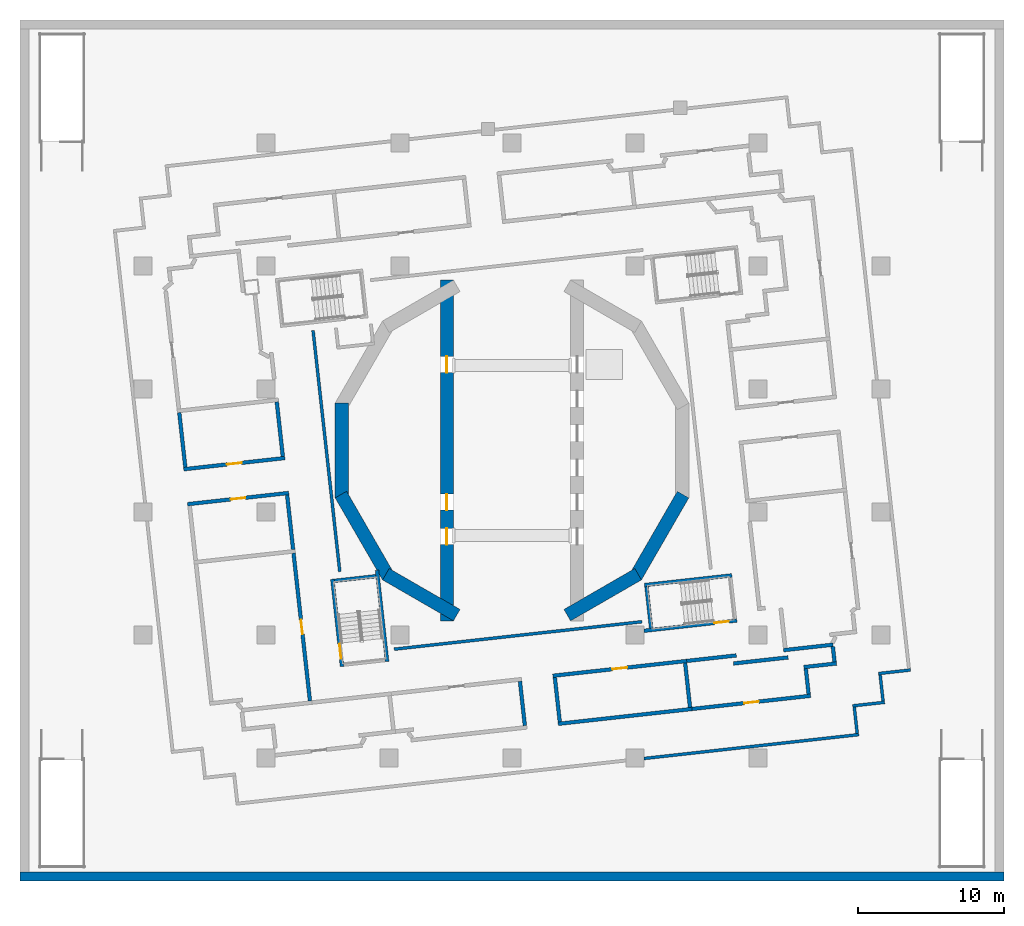
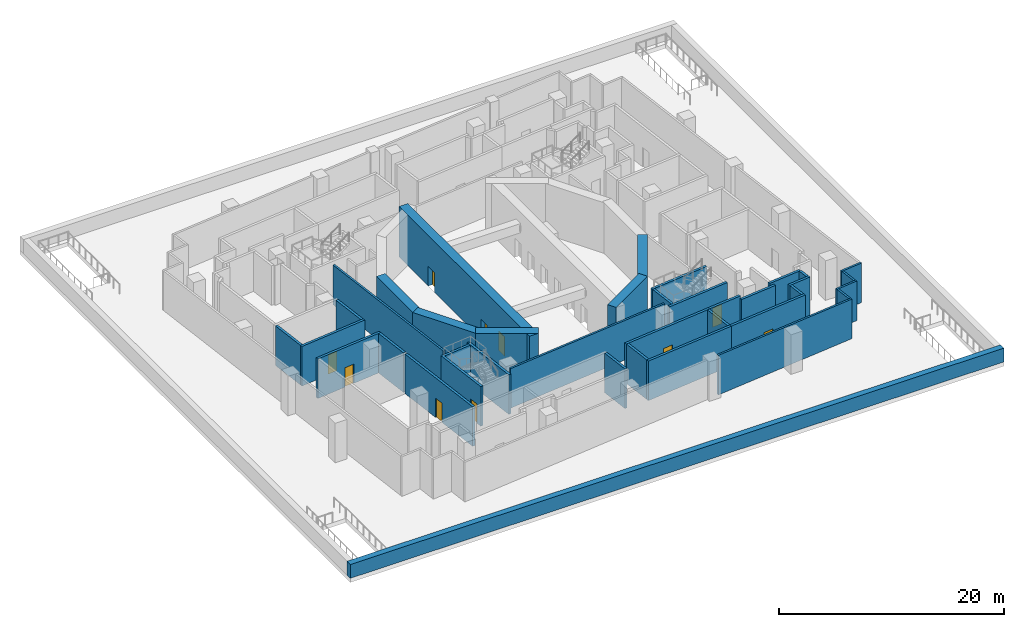
# One storey, part 2 of 12: 38 walls, 10 doors, 10 openings.
"""IFC4 building model written with IfcOpenShell, lengths in metres."""

from ifc_helpers import new_model, si_unit, direction, frame, frame_2d, origin, place, context, subcontext, project, spatial, rectangle, extrude, material, layer, layer_set, type_object, element, fill, save


model = new_model("IFC4")

# Units and contexts
model_context = context("Model", 3, precision=1e-05, world=origin(), true_north=direction((0.0, 1.0)))
body_context = subcontext(model_context, "Body", "Model", "MODEL_VIEW")
ifc_project = project(units=[si_unit("LENGTHUNIT", "METRE"), si_unit("AREAUNIT", "SQUARE_METRE"), si_unit("VOLUMEUNIT", "CUBIC_METRE"), si_unit("PLANEANGLEUNIT", "RADIAN"), si_unit("MASSUNIT", "GRAM", prefix="KILO")], contexts=[model_context])

# Site, building, storey
site_placement = place(None, origin())
site = spatial("IfcSite", under=ifc_project, at=site_placement, CompositionType="ELEMENT")
building_placement = place(site_placement, origin())
building = spatial("IfcBuilding", under=site, at=building_placement, Name="Cantera Rosa Tower", CompositionType="ELEMENT")
storey_placement = place(building_placement, frame((0.0, 0.0, 37.0)))
storey = spatial("IfcBuildingStorey", under=building, at=storey_placement, Name="L06", CompositionType="ELEMENT", Elevation=37.0)

# Walls
ifc_material_1 = material(Name="Masonry blockwork", Category="masonry")
ifc_layer_1 = layer(ifc_material_1, 0.199951171875)
ifc_layer_set_1 = layer_set([ifc_layer_1], Name="Blockwork partition 200")
wall_type_1 = type_object("IfcWallType", Name="Blockwork partition 200", PredefinedType="PARTITIONING", material=ifc_layer_set_1)
wall_1_placement = place(storey_placement, frame((-8.043212890625, -13.570068359375, 0.0), z_axis=(0.0, 0.0, 1.0), x_axis=(0.993897022694, 0.110311868264, 0.0)))
element("IfcWall", 1, at=wall_1_placement, inside=storey, type_object=wall_type_1, Name="Partition L06-1", PredefinedType="PARTITIONING", context=body_context, shape_type="SweptSolid", body=[
    extrude(rectangle(XDim=17.019287109375, YDim=0.199951171875, at=frame_2d((8.509765625, 0.0))), origin(), (0.0, 0.0, 1.0), 4.300048828125),
])
wall_2_placement = place(storey_placement, frame((-11.75830078125, -8.279541015625, 0.0), z_axis=(0.0, 0.0, 1.0), x_axis=(-0.110321610045, 0.993895941413, 0.0)))
element("IfcWall", 2, at=wall_2_placement, inside=storey, type_object=wall_type_1, Name="Partition L06-3", PredefinedType="PARTITIONING", context=body_context, shape_type="SweptSolid", body=[
    extrude(rectangle(XDim=16.577392578125, YDim=0.199951171875, at=frame_2d((8.28857421875, 0.0))), origin(), (0.0, 0.0, 1.0), 4.300048828125),
])
for number, where, z_axis, x_axis, name in (
    (3, (23.57470703125, -19.3173828125, 0.0), (0.0, 0.0, 1.0), (-0.110267775292, 0.993901915549, 0.0), "Partition L06-114"),
    (4, (25.342041015625, -17.10888671875, 0.0), (0.0, 0.0, 1.0), (-0.110401753874, 0.993887042245, 0.0), "Partition L06-118"),
):
    element("IfcWall", number, at=place(storey_placement, frame(where, z_axis=z_axis, x_axis=x_axis)), inside=storey, type_object=wall_type_1, Name=name, PredefinedType="PARTITIONING", context=body_context, shape_type="SweptSolid", body=[
        extrude(rectangle(XDim=1.800048828125, YDim=0.199951171875, at=frame_2d((0.89990234375, 0.0))), origin(), (0.0, 0.0, 1.0), 4.300048828125),
    ])
for number, where, z_axis, x_axis, name in (
    (5, (25.032958984375, -15.2314453125, 0.0), (0.0, 0.0, 1.0), (0.993897260817, 0.110309722784, 0.0), "Partition L06-125"),
    (6, (23.265869140625, -17.43994140625, 0.0), (0.0, 0.0, 1.0), (0.993897260817, 0.110309722784, 0.0), "Partition L06-127"),
):
    element("IfcWall", number, at=place(storey_placement, frame(where, z_axis=z_axis, x_axis=x_axis)), inside=storey, type_object=wall_type_1, Name=name, PredefinedType="PARTITIONING", context=body_context, shape_type="SweptSolid", body=[
        extrude(rectangle(XDim=2.199951171875, YDim=0.199951171875, at=frame_2d((1.10009765625, 0.0))), origin(), (0.0, 0.0, 1.0), 4.300048828125),
    ])
wall_3_placement = place(storey_placement, frame((9.007568359375, -21.03466796875, 0.0), z_axis=(0.0, 0.0, 1.0), x_axis=(0.993898241908, 0.110300882735, 0.0)))
element("IfcWall", 7, at=wall_3_placement, inside=storey, type_object=wall_type_1, Name="Partition L06-129", PredefinedType="PARTITIONING", context=body_context, shape_type="SweptSolid", body=[
    extrude(rectangle(XDim=14.767822265625, YDim=0.199951171875, at=frame_2d((7.3837890625, 0.0))), origin(), (0.0, 0.0, 1.0), 4.300048828125),
])
ifc_material_2 = material(Name="Masonry blockwork", Category="masonry")
ifc_layer_2 = layer(ifc_material_2, 0.25)
ifc_layer_set_2 = layer_set([ifc_layer_2], Name="Fire-rated wall 250")
wall_type_2 = type_object("IfcWallType", Name="Fire-rated wall 250", PredefinedType="PARTITIONING", material=ifc_layer_set_2)
for number, where, z_axis, x_axis, name in (
    (8, (0.87841796875, -18.792724609375, 0.0), (0.0, 0.0, 1.0), (-0.110308521992, 0.993897394089, 0.0), "Fire wall L06-31"),
    (9, (12.1591796875, -17.540771484375, 0.0), (0.0, 0.0, 1.0), (-0.110308521992, 0.993897394089, 0.0), "Fire wall L06-36"),
):
    element("IfcWall", number, at=place(storey_placement, frame(where, z_axis=z_axis, x_axis=x_axis)), inside=storey, type_object=wall_type_2, Name=name, PredefinedType="PARTITIONING", context=body_context, shape_type="SweptSolid", body=[
        extrude(rectangle(XDim=3.0498046875, YDim=0.25, at=frame_2d((1.52490234375, 0.0))), origin(), (0.0, 0.0, 1.0), 4.300048828125),
    ])
wall_4_placement = place(storey_placement, frame((3.263916015625, -18.528076171875, 0.0), z_axis=(0.0, 0.0, 1.0), x_axis=(-0.110378814906, 0.993889590055, 0.0)))
element("IfcWall", 10, at=wall_4_placement, inside=storey, type_object=wall_type_2, Name="Fire wall L06-38", PredefinedType="PARTITIONING", context=body_context, shape_type="SweptSolid", body=[
    extrude(rectangle(XDim=3.050048828125, YDim=0.25, at=frame_2d((1.52490234375, 0.0))), origin(), (0.0, 0.0, 1.0), 4.300048828125),
])
wall_5_placement = place(storey_placement, frame((20.259521484375, -16.6416015625, 0.0), z_axis=(0.0, 0.0, 1.0), x_axis=(-0.11035496361, 0.993892238629, 0.0)))
element("IfcWall", 11, at=wall_5_placement, inside=storey, type_object=wall_type_2, Name="Fire wall L06-41", PredefinedType="PARTITIONING", context=body_context, shape_type="SweptSolid", body=[
    extrude(rectangle(XDim=1.75, YDim=0.25, at=frame_2d((0.875, 0.0))), origin(), (0.0, 0.0, 1.0), 4.300048828125),
])
wall_6_placement = place(storey_placement, frame((22.026611328125, -14.433349609375, 0.0), z_axis=(0.0, 0.0, 1.0), x_axis=(-0.110201865026, 0.993909225707, 0.0)))
element("IfcWall", 12, at=wall_6_placement, inside=storey, type_object=wall_type_2, Name="Fire wall L06-43", PredefinedType="PARTITIONING", context=body_context, shape_type="SweptSolid", body=[
    extrude(rectangle(XDim=1.050048828125, YDim=0.25, at=frame_2d((0.52490234375, 0.0))), origin(), (0.0, 0.0, 1.0), 4.300048828125),
])

# Wall, opening, door
wall_7_placement = place(storey_placement, frame((2.789306640625, -15.38623046875, 0.0), z_axis=(0.0, 0.0, 1.0), x_axis=(0.993896672807, 0.110315020662, 0.0)))
wall_7 = element("IfcWall", 13, at=wall_7_placement, inside=storey, type_object=wall_type_2, Name="Fire wall L06-50", PredefinedType="PARTITIONING", context=body_context, shape_type="SweptSolid", body=[
    extrude(rectangle(XDim=9.199951171875, YDim=0.25, at=frame_2d((4.60009765625, 0.0))), origin(), (0.0, 0.0, 1.0), 4.300048828125),
])
opening_1_placement = place(wall_7_placement, frame((4.10009765625, 0.0, 0.0)))
opening_1 = element("IfcOpeningElement", 14, at=opening_1_placement, cuts=wall_7, Name="Opening L06-011", PredefinedType="OPENING", context=body_context, shape_type="SweptSolid", body=[
    extrude(rectangle(XDim=1.0, YDim=2.10009765625, at=frame_2d((0.5, 1.050048828125))), frame((0.0, 0.135009765625, 0.0), z_axis=(0.0, -1.0, 0.0), x_axis=(1.0, 0.0, 0.0)), (0.0, 0.0, 1.0), 0.27001953125),
])
ifc_material_3 = material(Name="Steel S355J2 (EN 10025-2)", Category="steel")
door_type_1 = type_object("IfcDoorType", Name="Fire door 1000x2100", OperationType="NOTDEFINED", PredefinedType="DOOR", material=ifc_material_3)
door_1_placement = place(opening_1_placement, origin())
door_1 = element("IfcDoor", 15, at=door_1_placement, inside=storey, type_object=door_type_1, Name="Door L06-011", OverallHeight=2.10009765625, OverallWidth=1.0, PredefinedType="DOOR", context=body_context, shape_type="SweptSolid", body=[
    extrude(rectangle(XDim=1.0, YDim=2.10009765625, at=frame_2d((0.5, 1.050048828125))), frame((0.0, 0.02490234375, 0.0), z_axis=(0.0, -1.0, 0.0), x_axis=(1.0, 0.0, 0.0)), (0.0, 0.0, 1.0), 0.050048828125),
])
fill(opening_1, door_1)

# Walls
wall_8_placement = place(storey_placement, frame((11.93310546875, -14.371337890625, 0.0), z_axis=(0.0, 0.0, 1.0), x_axis=(0.993894215195, 0.110337160568, 0.0)))
element("IfcWall", 16, at=wall_8_placement, inside=storey, type_object=wall_type_2, Name="Fire wall L06-51", PredefinedType="PARTITIONING", context=body_context, shape_type="SweptSolid", body=[
    extrude(rectangle(XDim=3.407470703125, YDim=0.25, at=frame_2d((1.70361328125, 0.0))), origin(), (0.0, 0.0, 1.0), 4.300048828125),
])
wall_9_placement = place(storey_placement, frame((18.550048828125, -13.636962890625, 0.0), z_axis=(0.0, 0.0, 1.0), x_axis=(0.993896015074, 0.110320946427, 0.0)))
element("IfcWall", 17, at=wall_9_placement, inside=storey, type_object=wall_type_2, Name="Fire wall L06-52", PredefinedType="PARTITIONING", context=body_context, shape_type="SweptSolid", body=[
    extrude(rectangle(XDim=3.392578125, YDim=0.25, at=frame_2d((1.6962890625, 0.0))), origin(), (0.0, 0.0, 1.0), 4.300048828125),
])

# Wall, opening, door
wall_10_placement = place(storey_placement, frame((-22.15576171875, -3.66650390625, 0.0), z_axis=(0.0, 0.0, 1.0), x_axis=(0.993897863711, 0.110304290533, 0.0)))
wall_10 = element("IfcWall", 18, at=wall_10_placement, inside=storey, type_object=wall_type_2, Name="Fire wall L06-69", PredefinedType="PARTITIONING", context=body_context, shape_type="SweptSolid", body=[
    extrude(rectangle(XDim=6.949951171875, YDim=0.25, at=frame_2d((3.47509765625, 0.0))), origin(), (0.0, 0.0, 1.0), 4.300048828125),
])
opening_2_placement = place(wall_10_placement, frame((2.97509765625, 0.0, 0.0)))
opening_2 = element("IfcOpeningElement", 19, at=opening_2_placement, cuts=wall_10, Name="Opening L06-014", PredefinedType="OPENING", context=body_context, shape_type="SweptSolid", body=[
    extrude(rectangle(XDim=1.0, YDim=2.10009765625, at=frame_2d((0.5, 1.050048828125))), frame((0.0, 0.135009765625, 0.0), z_axis=(0.0, -1.0, 0.0), x_axis=(1.0, 0.0, 0.0)), (0.0, 0.0, 1.0), 0.27001953125),
])
door_2_placement = place(opening_2_placement, origin())
door_2 = element("IfcDoor", 20, at=door_2_placement, inside=storey, type_object=door_type_1, Name="Door L06-014", OverallHeight=2.10009765625, OverallWidth=1.0, PredefinedType="DOOR", context=body_context, shape_type="SweptSolid", body=[
    extrude(rectangle(XDim=1.0, YDim=2.10009765625, at=frame_2d((0.5, 1.050048828125))), frame((0.0, 0.02490234375, 0.0), z_axis=(0.0, -1.0, 0.0), x_axis=(1.0, 0.0, 0.0)), (0.0, 0.0, 1.0), 0.050048828125),
])
fill(opening_2, door_2)

wall_11_placement = place(storey_placement, frame((-22.42041015625, -1.281005859375, 0.0), z_axis=(0.0, 0.0, 1.0), x_axis=(0.993897863711, 0.110304290533, 0.0)))
wall_11 = element("IfcWall", 21, at=wall_11_placement, inside=storey, type_object=wall_type_2, Name="Fire wall L06-73", PredefinedType="PARTITIONING", context=body_context, shape_type="SweptSolid", body=[
    extrude(rectangle(XDim=6.949951171875, YDim=0.25, at=frame_2d((3.47509765625, 0.0))), origin(), (0.0, 0.0, 1.0), 4.300048828125),
])
opening_3_placement = place(wall_11_placement, frame((2.97509765625, 0.0, 0.0)))
opening_3 = element("IfcOpeningElement", 22, at=opening_3_placement, cuts=wall_11, Name="Opening L06-015", PredefinedType="OPENING", context=body_context, shape_type="SweptSolid", body=[
    extrude(rectangle(XDim=1.0, YDim=2.10009765625, at=frame_2d((0.5, 1.050048828125))), frame((0.0, 0.135009765625, 0.0), z_axis=(0.0, -1.0, 0.0), x_axis=(1.0, 0.0, 0.0)), (0.0, 0.0, 1.0), 0.27001953125),
])
door_3_placement = place(opening_3_placement, origin())
door_3 = element("IfcDoor", 23, at=door_3_placement, inside=storey, type_object=door_type_1, Name="Door L06-015", OverallHeight=2.10009765625, OverallWidth=1.0, PredefinedType="DOOR", context=body_context, shape_type="SweptSolid", body=[
    extrude(rectangle(XDim=1.0, YDim=2.10009765625, at=frame_2d((0.5, 1.050048828125))), frame((0.0, 0.02490234375, 0.0), z_axis=(0.0, -1.0, 0.0), x_axis=(1.0, 0.0, 0.0)), (0.0, 0.0, 1.0), 0.050048828125),
])
fill(opening_3, door_3)

# Walls
wall_12_placement = place(storey_placement, frame((19.928466796875, -14.7919921875, 0.0), z_axis=(0.0, 0.0, 1.0), x_axis=(0.993891672249, 0.110360064491, 0.0)))
element("IfcWall", 24, at=wall_12_placement, inside=storey, type_object=wall_type_2, Name="Fire wall L06-88", PredefinedType="PARTITIONING", context=body_context, shape_type="SweptSolid", body=[
    extrude(rectangle(XDim=2.249755859375, YDim=0.25, at=frame_2d((1.125, 0.0))), origin(), (0.0, 0.0, 1.0), 4.300048828125),
])
wall_13_placement = place(storey_placement, frame((3.1533203125, -18.666015625, 0.0), z_axis=(0.0, 0.0, 1.0), x_axis=(0.993896672807, 0.110315020662, 0.0)))
element("IfcWall", 25, at=wall_13_placement, inside=storey, type_object=wall_type_2, Name="Fire wall L06-94", PredefinedType="PARTITIONING", context=body_context, shape_type="SweptSolid", body=[
    extrude(rectangle(XDim=9.199951171875, YDim=0.25, at=frame_2d((4.60009765625, 0.0))), origin(), (0.0, 0.0, 1.0), 4.300048828125),
])

# Wall, opening, door
wall_14_placement = place(storey_placement, frame((12.297119140625, -17.651123046875, 0.0), z_axis=(0.0, 0.0, 1.0), x_axis=(0.99389870336, 0.110296724608, 0.0)))
wall_14 = element("IfcWall", 26, at=wall_14_placement, inside=storey, type_object=wall_type_2, Name="Fire wall L06-95", PredefinedType="PARTITIONING", context=body_context, shape_type="SweptSolid", body=[
    extrude(rectangle(XDim=8.150146484375, YDim=0.25, at=frame_2d((4.0751953125, 0.0))), origin(), (0.0, 0.0, 1.0), 4.300048828125),
])
opening_4_placement = place(wall_14_placement, frame((3.574951171875, 0.0, 0.0)))
opening_4 = element("IfcOpeningElement", 27, at=opening_4_placement, cuts=wall_14, Name="Opening L06-012", PredefinedType="OPENING", context=body_context, shape_type="SweptSolid", body=[
    extrude(rectangle(XDim=1.0, YDim=2.10009765625, at=frame_2d((0.5, 1.050048828125))), frame((0.0, 0.135009765625, 0.0), z_axis=(0.0, -1.0, 0.0), x_axis=(1.0, 0.0, 0.0)), (0.0, 0.0, 1.0), 0.27001953125),
])
door_4_placement = place(opening_4_placement, origin())
door_4 = element("IfcDoor", 28, at=door_4_placement, inside=storey, type_object=door_type_1, Name="Door L06-012", OverallHeight=2.10009765625, OverallWidth=1.0, PredefinedType="DOOR", context=body_context, shape_type="SweptSolid", body=[
    extrude(rectangle(XDim=1.0, YDim=2.10009765625, at=frame_2d((0.5, 1.050048828125))), frame((0.0, 0.02490234375, 0.0), z_axis=(0.0, -1.0, 0.0), x_axis=(1.0, 0.0, 0.0)), (0.0, 0.0, 1.0), 0.050048828125),
])
fill(opening_4, door_4)

# Walls
wall_15_placement = place(storey_placement, frame((15.12939453125, -14.546142578125, 0.0), z_axis=(0.0, 0.0, 1.0), x_axis=(0.993900395612, 0.110281474433, 0.0)))
element("IfcWall", 29, at=wall_15_placement, inside=storey, type_object=wall_type_2, Name="Fire wall L06-97", PredefinedType="PARTITIONING", context=body_context, shape_type="SweptSolid", body=[
    extrude(rectangle(XDim=3.750244140625, YDim=0.25, at=frame_2d((1.875, 0.0))), origin(), (0.0, 0.0, 1.0), 4.300048828125),
])
wall_16_placement = place(storey_placement, frame((-22.31005859375, -1.14306640625, 0.0), z_axis=(0.0, 0.0, 1.0), x_axis=(-0.110288610559, 0.993899603773, 0.0)))
element("IfcWall", 30, at=wall_16_placement, inside=storey, type_object=wall_type_2, Name="Fire wall L06-100", PredefinedType="PARTITIONING", context=body_context, shape_type="SweptSolid", body=[
    extrude(rectangle(XDim=3.75, YDim=0.25, at=frame_2d((1.875, 0.0))), origin(), (0.0, 0.0, 1.0), 4.300048828125),
])

# Wall, opening, door
wall_17_placement = place(storey_placement, frame((-13.797607421875, -17.101318359375, 0.0), z_axis=(0.0, 0.0, 1.0), x_axis=(-0.110333844475, 0.993894583325, 0.0)))
wall_17 = element("IfcWall", 31, at=wall_17_placement, inside=storey, type_object=wall_type_2, Name="Fire wall L06-102", PredefinedType="PARTITIONING", context=body_context, shape_type="SweptSolid", body=[
    extrude(rectangle(XDim=10.14990234375, YDim=0.25, at=frame_2d((5.074951171875, 0.0))), origin(), (0.0, 0.0, 1.0), 4.300048828125),
])
opening_5_placement = place(wall_17_placement, frame((4.574951171875, 0.0, 0.0)))
opening_5 = element("IfcOpeningElement", 32, at=opening_5_placement, cuts=wall_17, Name="Opening L06-013", PredefinedType="OPENING", context=body_context, shape_type="SweptSolid", body=[
    extrude(rectangle(XDim=1.0, YDim=2.10009765625, at=frame_2d((0.5, 1.050048828125))), frame((0.0, 0.135009765625, 0.0), z_axis=(0.0, -1.0, 0.0), x_axis=(1.0, 0.0, 0.0)), (0.0, 0.0, 1.0), 0.27001953125),
])
door_5_placement = place(opening_5_placement, origin())
door_5 = element("IfcDoor", 33, at=door_5_placement, inside=storey, type_object=door_type_1, Name="Door L06-013", OverallHeight=2.10009765625, OverallWidth=1.0, PredefinedType="DOOR", context=body_context, shape_type="SweptSolid", body=[
    extrude(rectangle(XDim=1.0, YDim=2.10009765625, at=frame_2d((0.5, 1.050048828125))), frame((0.0, 0.02490234375, 0.0), z_axis=(0.0, -1.0, 0.0), x_axis=(1.0, 0.0, 0.0)), (0.0, 0.0, 1.0), 0.050048828125),
])
fill(opening_5, door_5)

# Walls
wall_18_placement = place(storey_placement, frame((-14.945068359375, -6.764892578125, 0.0), z_axis=(0.0, 0.0, 1.0), x_axis=(-0.110288610559, 0.993899603773, 0.0)))
element("IfcWall", 34, at=wall_18_placement, inside=storey, type_object=wall_type_2, Name="Fire wall L06-103", PredefinedType="PARTITIONING", context=body_context, shape_type="SweptSolid", body=[
    extrude(rectangle(XDim=3.75, YDim=0.25, at=frame_2d((1.875, 0.0))), origin(), (0.0, 0.0, 1.0), 4.300048828125),
])
wall_19_placement = place(storey_placement, frame((-15.65087890625, -0.404052734375, 0.0), z_axis=(0.0, 0.0, 1.0), x_axis=(-0.110345783203, 0.993893257915, 0.0)))
element("IfcWall", 35, at=wall_19_placement, inside=storey, type_object=wall_type_2, Name="Fire wall L06-104", PredefinedType="PARTITIONING", context=body_context, shape_type="SweptSolid", body=[
    extrude(rectangle(XDim=3.750244140625, YDim=0.25, at=frame_2d((1.875, 0.0))), origin(), (0.0, 0.0, 1.0), 4.300048828125),
])
ifc_material_4 = material(Name="Concrete C70/85", Category="concrete")
ifc_layer_3 = layer(ifc_material_4, 0.89990234375)
ifc_layer_set_3 = layer_set([ifc_layer_3], Name="RC CORE WALL 900 C70/85")
wall_type_3 = type_object("IfcWallType", Name="RC CORE WALL 900 C70/85", PredefinedType="SHEAR", material=ifc_layer_set_3)
wall_20_placement = place(storey_placement, frame((-3.77490234375, -11.242919921875, 0.0), z_axis=(0.0, 0.0, 1.0), x_axis=(-0.866026961591, 0.49999730179, 0.0)))
element("IfcWall", 36, at=wall_20_placement, inside=storey, type_object=wall_type_3, Name="CW-W1 L06", PredefinedType="SHEAR", context=body_context, shape_type="SweptSolid", body=[
    extrude(rectangle(XDim=5.58740234375, YDim=0.89990234375, at=frame_2d((2.793701171875, 0.0))), origin(), (0.0, 0.0, 1.0), 5.5),
])
wall_21_placement = place(storey_placement, frame((-8.44921875, -8.61376953125, 0.0), z_axis=(0.0, 0.0, 1.0), x_axis=(-0.499990282633, 0.866031014036, 0.0)))
element("IfcWall", 37, at=wall_21_placement, inside=storey, type_object=wall_type_3, Name="CW-W2 L06", PredefinedType="SHEAR", context=body_context, shape_type="SweptSolid", body=[
    extrude(rectangle(XDim=6.470458984375, YDim=0.89990234375, at=frame_2d((3.2353515625, 0.0))), origin(), (0.0, 0.0, 1.0), 5.5),
])
wall_22_placement = place(storey_placement, frame((-11.6240234375, -3.2353515625, 0.0), z_axis=(0.0, 0.0, 1.0), x_axis=(0.0, 1.0, 0.0)))
element("IfcWall", 38, at=wall_22_placement, inside=storey, type_object=wall_type_3, Name="CW-W3 L06", PredefinedType="SHEAR", context=body_context, shape_type="SweptSolid", body=[
    extrude(rectangle(XDim=6.470703125, YDim=0.89990234375, at=frame_2d((3.2353515625, 0.0))), origin(), (0.0, 0.0, 1.0), 5.5),
])

# Wall, openings, doors
wall_23_placement = place(storey_placement, frame((-4.449951171875, 11.632568359375, 0.0), z_axis=(0.0, 0.0, 1.0), x_axis=(0.0, -1.0, 0.0)))
wall_23 = element("IfcWall", 39, at=wall_23_placement, inside=storey, type_object=wall_type_3, Name="CW-W6 L06", PredefinedType="SHEAR", context=body_context, shape_type="SweptSolid", body=[
    extrude(rectangle(XDim=23.26513671875, YDim=0.89990234375, at=frame_2d((11.632568359375, 0.0))), origin(), (0.0, 0.0, 1.0), 5.5),
])
opening_6_placement = place(wall_23_placement, frame((14.607421875, 0.0, 0.0)))
opening_6 = element("IfcOpeningElement", 40, at=opening_6_placement, cuts=wall_23, Name="Opening LD-P3-L06", PredefinedType="OPENING", context=body_context, shape_type="SweptSolid", body=[
    extrude(rectangle(XDim=1.10009765625, YDim=2.10009765625, at=frame_2d((0.550048828125, 1.050048828125))), frame((0.0, 0.4599609375, 0.0), z_axis=(0.0, -1.0, 0.0), x_axis=(1.0, 0.0, 0.0)), (0.0, 0.0, 1.0), 0.919921875),
])
opening_7_placement = place(wall_23_placement, frame((16.95751953125, 0.0, 0.0)))
opening_7 = element("IfcOpeningElement", 41, at=opening_7_placement, cuts=wall_23, Name="Opening LD-P4-L06", PredefinedType="OPENING", context=body_context, shape_type="SweptSolid", body=[
    extrude(rectangle(XDim=1.10009765625, YDim=2.10009765625, at=frame_2d((0.550048828125, 1.050048828125))), frame((0.0, 0.4599609375, 0.0), z_axis=(0.0, -1.0, 0.0), x_axis=(1.0, 0.0, 0.0)), (0.0, 0.0, 1.0), 0.919921875),
])
opening_8_placement = place(wall_23_placement, frame((5.20751953125, 0.0, 0.0)))
opening_8 = element("IfcOpeningElement", 42, at=opening_8_placement, cuts=wall_23, Name="Opening LD-P5-L06", PredefinedType="OPENING", context=body_context, shape_type="SweptSolid", body=[
    extrude(rectangle(XDim=1.10009765625, YDim=2.10009765625, at=frame_2d((0.550048828125, 1.050048828125))), frame((0.0, 0.4599609375, 0.0), z_axis=(0.0, -1.0, 0.0), x_axis=(1.0, 0.0, 0.0)), (0.0, 0.0, 1.0), 0.919921875),
])
ifc_material_5 = material(Name="Steel S355J2 (EN 10025-2)", Category="steel")
door_type_2 = type_object("IfcDoorType", Name="LANDING DOOR 1100x2100", OperationType="NOTDEFINED", PredefinedType="DOOR", material=ifc_material_5)
door_6_placement = place(opening_6_placement, origin())
door_6 = element("IfcDoor", 43, at=door_6_placement, inside=storey, type_object=door_type_2, Name="LANDING DOOR P3 L06", OperationType="SLIDING_TO_LEFT", OverallHeight=2.10009765625, OverallWidth=1.10009765625, PredefinedType="DOOR", context=body_context, shape_type="SweptSolid", body=[
    extrude(rectangle(XDim=1.10009765625, YDim=2.10009765625, at=frame_2d((0.550048828125, 1.050048828125))), frame((0.0, 0.02490234375, 0.0), z_axis=(0.0, -1.0, 0.0), x_axis=(1.0, 0.0, 0.0)), (0.0, 0.0, 1.0), 0.050048828125),
])
fill(opening_6, door_6)
door_7_placement = place(opening_7_placement, origin())
door_7 = element("IfcDoor", 44, at=door_7_placement, inside=storey, type_object=door_type_2, Name="LANDING DOOR P4 L06", OperationType="SLIDING_TO_LEFT", OverallHeight=2.10009765625, OverallWidth=1.10009765625, PredefinedType="DOOR", context=body_context, shape_type="SweptSolid", body=[
    extrude(rectangle(XDim=1.10009765625, YDim=2.10009765625, at=frame_2d((0.550048828125, 1.050048828125))), frame((0.0, 0.02490234375, 0.0), z_axis=(0.0, -1.0, 0.0), x_axis=(1.0, 0.0, 0.0)), (0.0, 0.0, 1.0), 0.050048828125),
])
fill(opening_7, door_7)
door_8_placement = place(opening_8_placement, origin())
door_8 = element("IfcDoor", 45, at=door_8_placement, inside=storey, type_object=door_type_2, Name="LANDING DOOR P5 L06", OperationType="SLIDING_TO_LEFT", OverallHeight=2.10009765625, OverallWidth=1.10009765625, PredefinedType="DOOR", context=body_context, shape_type="SweptSolid", body=[
    extrude(rectangle(XDim=1.10009765625, YDim=2.10009765625, at=frame_2d((0.550048828125, 1.050048828125))), frame((0.0, 0.02490234375, 0.0), z_axis=(0.0, -1.0, 0.0), x_axis=(1.0, 0.0, 0.0)), (0.0, 0.0, 1.0), 0.050048828125),
])
fill(opening_8, door_8)

# Walls
wall_24_placement = place(storey_placement, frame((11.684326171875, -3.01025390625, 0.0), z_axis=(0.0, 0.0, 1.0), x_axis=(-0.499990282633, -0.866031014036, 0.0)))
element("IfcWall", 46, at=wall_24_placement, inside=storey, type_object=wall_type_3, Name="CW-E4 L06", PredefinedType="SHEAR", context=body_context, shape_type="SweptSolid", body=[
    extrude(rectangle(XDim=6.470458984375, YDim=0.89990234375, at=frame_2d((3.2353515625, 0.0))), origin(), (0.0, 0.0, 1.0), 5.5),
])
wall_25_placement = place(storey_placement, frame((8.61376953125, -8.44921875, 0.0), z_axis=(0.0, 0.0, 1.0), x_axis=(-0.866026961591, -0.49999730179, 0.0)))
element("IfcWall", 47, at=wall_25_placement, inside=storey, type_object=wall_type_3, Name="CW-E5 L06", PredefinedType="SHEAR", context=body_context, shape_type="SweptSolid", body=[
    extrude(rectangle(XDim=5.58740234375, YDim=0.89990234375, at=frame_2d((2.793701171875, 0.0))), origin(), (0.0, 0.0, 1.0), 5.5),
])

# Wall, opening, door
ifc_material_6 = material(Name="Concrete C50/60", Category="concrete")
ifc_layer_4 = layer(ifc_material_6, 0.25)
ifc_layer_set_4 = layer_set([ifc_layer_4], Name="RC stair wall 250 C50/60")
wall_type_4 = type_object("IfcWallType", Name="RC stair wall 250", PredefinedType="SOLIDWALL", material=ifc_layer_set_4)
wall_26_placement = place(storey_placement, frame((-11.609619140625, -14.752685546875, 0.0), z_axis=(0.0, 0.0, 1.0), x_axis=(-0.110310943534, 0.993897125329, 0.0)))
wall_26 = element("IfcWall", 48, at=wall_26_placement, inside=storey, type_object=wall_type_4, Name="Stair wall ST-13 L06-2", PredefinedType="SOLIDWALL", context=body_context, shape_type="SweptSolid", body=[
    extrude(rectangle(XDim=6.0, YDim=0.25, at=frame_2d((3.0, 0.0))), origin(), (0.0, 0.0, 1.0), 4.300048828125),
])
opening_9_placement = place(wall_26_placement, frame((0.550048828125, 0.0, 0.0)))
opening_9 = element("IfcOpeningElement", 49, at=opening_9_placement, cuts=wall_26, Name="Opening L06-ST-13", PredefinedType="OPENING", context=body_context, shape_type="SweptSolid", body=[
    extrude(rectangle(XDim=1.0, YDim=2.10009765625, at=frame_2d((0.5, 1.050048828125))), frame((0.0, 0.135009765625, 0.0), z_axis=(0.0, -1.0, 0.0), x_axis=(1.0, 0.0, 0.0)), (0.0, 0.0, 1.0), 0.27001953125),
])
ifc_material_7 = material(Name="Steel S355J2 (EN 10025-2)", Category="steel")
door_type_3 = type_object("IfcDoorType", Name="Fire door 1000x2100 EI 120", OperationType="NOTDEFINED", PredefinedType="DOOR", material=ifc_material_7)
door_9_placement = place(opening_9_placement, origin())
door_9 = element("IfcDoor", 50, at=door_9_placement, inside=storey, type_object=door_type_3, Name="Door L06-ST-13", OverallHeight=2.10009765625, OverallWidth=1.0, PredefinedType="DOOR", context=body_context, shape_type="SweptSolid", body=[
    extrude(rectangle(XDim=1.0, YDim=2.10009765625, at=frame_2d((0.5, 1.050048828125))), frame((0.0, 0.02490234375, 0.0), z_axis=(0.0, -1.0, 0.0), x_axis=(1.0, 0.0, 0.0)), (0.0, 0.0, 1.0), 0.050048828125),
])
fill(opening_9, door_9)

# Walls
wall_27_placement = place(storey_placement, frame((-12.133544921875, -8.899658203125, 0.0), z_axis=(0.0, 0.0, 1.0), x_axis=(0.993904609394, 0.110243491536, 0.0)))
element("IfcWall", 51, at=wall_27_placement, inside=storey, type_object=wall_type_4, Name="Stair wall ST-13 L06-3", PredefinedType="SOLIDWALL", context=body_context, shape_type="SweptSolid", body=[
    extrude(rectangle(XDim=2.85009765625, YDim=0.25, at=frame_2d((1.425048828125, 0.0))), origin(), (0.0, 0.0, 1.0), 4.300048828125),
])
wall_28_placement = place(storey_placement, frame((-9.22021484375, -8.17822265625, 0.0), z_axis=(0.0, 0.0, 1.0), x_axis=(0.110299055694, -0.993898444668, 0.0)))
element("IfcWall", 52, at=wall_28_placement, inside=storey, type_object=wall_type_4, Name="Stair wall ST-13 L06-4", PredefinedType="SOLIDWALL", context=body_context, shape_type="SweptSolid", body=[
    extrude(rectangle(XDim=6.270751953125, YDim=0.25, at=frame_2d((3.13525390625, 0.0))), origin(), (0.0, 0.0, 1.0), 4.300048828125),
])

# Wall, opening, door
wall_29_placement = place(storey_placement, frame((15.352783203125, -11.609619140625, 0.0), z_axis=(0.0, 0.0, 1.0), x_axis=(-0.993898660621, -0.110297109738, 0.0)))
wall_29 = element("IfcWall", 53, at=wall_29_placement, inside=storey, type_object=wall_type_4, Name="Stair wall ST-14 L06-2", PredefinedType="SOLIDWALL", context=body_context, shape_type="SweptSolid", body=[
    extrude(rectangle(XDim=6.379150390625, YDim=0.25, at=frame_2d((3.189453125, 0.0))), origin(), (0.0, 0.0, 1.0), 4.300048828125),
])
opening_10_placement = place(wall_29_placement, frame((0.550048828125, 0.0, 0.0)))
opening_10 = element("IfcOpeningElement", 54, at=opening_10_placement, cuts=wall_29, Name="Opening L06-ST-14", PredefinedType="OPENING", context=body_context, shape_type="SweptSolid", body=[
    extrude(rectangle(XDim=1.0, YDim=2.10009765625, at=frame_2d((0.5, 1.050048828125))), frame((0.0, 0.135009765625, 0.0), z_axis=(0.0, -1.0, 0.0), x_axis=(1.0, 0.0, 0.0)), (0.0, 0.0, 1.0), 0.27001953125),
])
door_10_placement = place(opening_10_placement, origin())
door_10 = element("IfcDoor", 55, at=door_10_placement, inside=storey, type_object=door_type_3, Name="Door L06-ST-14", OverallHeight=2.10009765625, OverallWidth=1.0, PredefinedType="DOOR", context=body_context, shape_type="SweptSolid", body=[
    extrude(rectangle(XDim=1.0, YDim=2.10009765625, at=frame_2d((0.5, 1.050048828125))), frame((0.0, 0.02490234375, 0.0), z_axis=(0.0, -1.0, 0.0), x_axis=(1.0, 0.0, 0.0)), (0.0, 0.0, 1.0), 0.050048828125),
])
fill(opening_10, door_10)

# Walls
wall_30_placement = place(storey_placement, frame((9.499755859375, -12.133544921875, 0.0), z_axis=(0.0, 0.0, 1.0), x_axis=(-0.110328108544, 0.993895220063, 0.0)))
element("IfcWall", 56, at=wall_30_placement, inside=storey, type_object=wall_type_4, Name="Stair wall ST-14 L06-3", PredefinedType="SOLIDWALL", context=body_context, shape_type="SweptSolid", body=[
    extrude(rectangle(XDim=2.85009765625, YDim=0.25, at=frame_2d((1.425048828125, 0.0))), origin(), (0.0, 0.0, 1.0), 4.300048828125),
])
wall_31_placement = place(storey_placement, frame((9.04736328125, -9.1904296875, 0.0), z_axis=(0.0, 0.0, 1.0), x_axis=(0.993897125329, 0.110310943534, 0.0)))
element("IfcWall", 57, at=wall_31_placement, inside=storey, type_object=wall_type_4, Name="Stair wall ST-14 L06-4", PredefinedType="SOLIDWALL", context=body_context, shape_type="SweptSolid", body=[
    extrude(rectangle(XDim=6.0, YDim=0.25, at=frame_2d((3.0, 0.0))), origin(), (0.0, 0.0, 1.0), 4.300048828125),
])
ifc_material_8 = material(Name="Concrete C40/50 with limestone facing", Category="masonry")
ifc_layer_5 = layer(ifc_material_8, 0.60009765625)
ifc_layer_set_5 = layer_set([ifc_layer_5], Name="Stone cornice parapet 600")
wall_type_5 = type_object("IfcWallType", Name="Stone cornice parapet 600", PredefinedType="PARAPET", material=ifc_layer_set_5)
wall_32_placement = place(storey_placement, frame((-33.60009765625, -29.10009765625, 0.0), z_axis=(0.0, 0.0, 1.0), x_axis=(1.0, 0.0, 0.0)))
element("IfcWall", 58, at=wall_32_placement, inside=storey, type_object=wall_type_5, Name="Parapet S", PredefinedType="PARAPET", context=body_context, shape_type="SweptSolid", body=[
    extrude(rectangle(XDim=67.2001953125, YDim=0.60009765625, at=frame_2d((33.60009765625, 0.0))), origin(), (0.0, 0.0, 1.0), 1.5),
])

save(model, "model.ifc")
